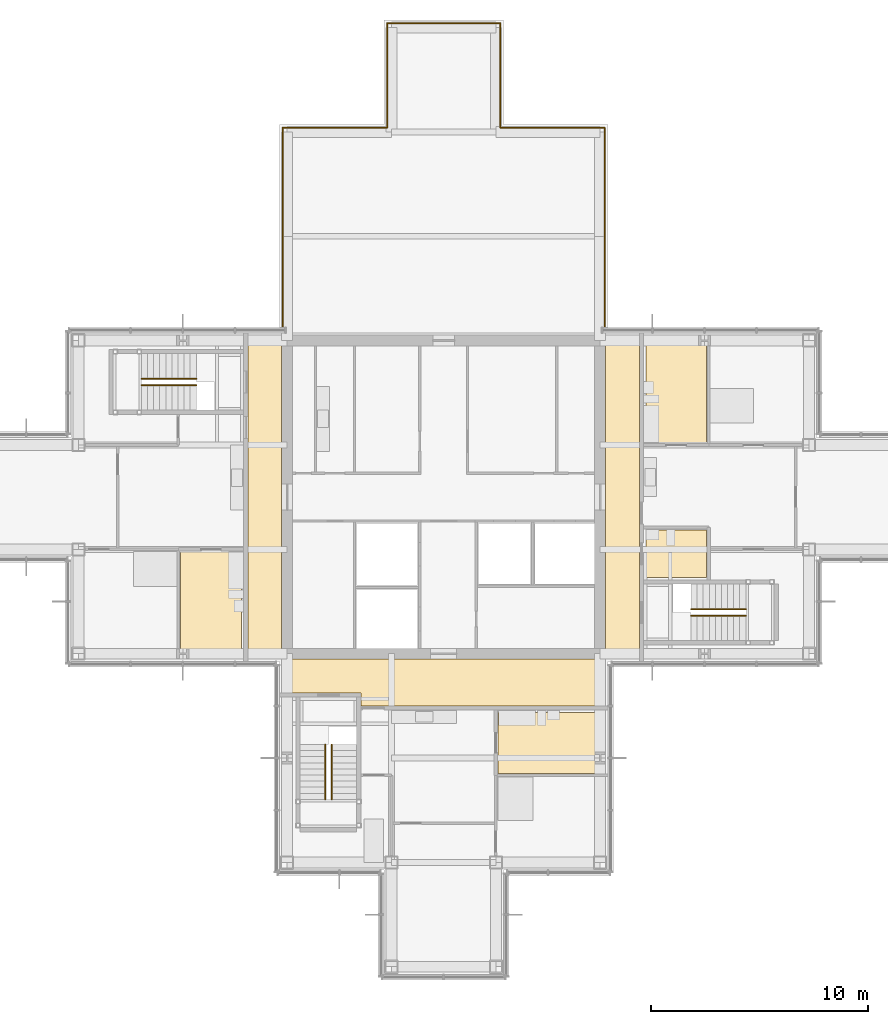
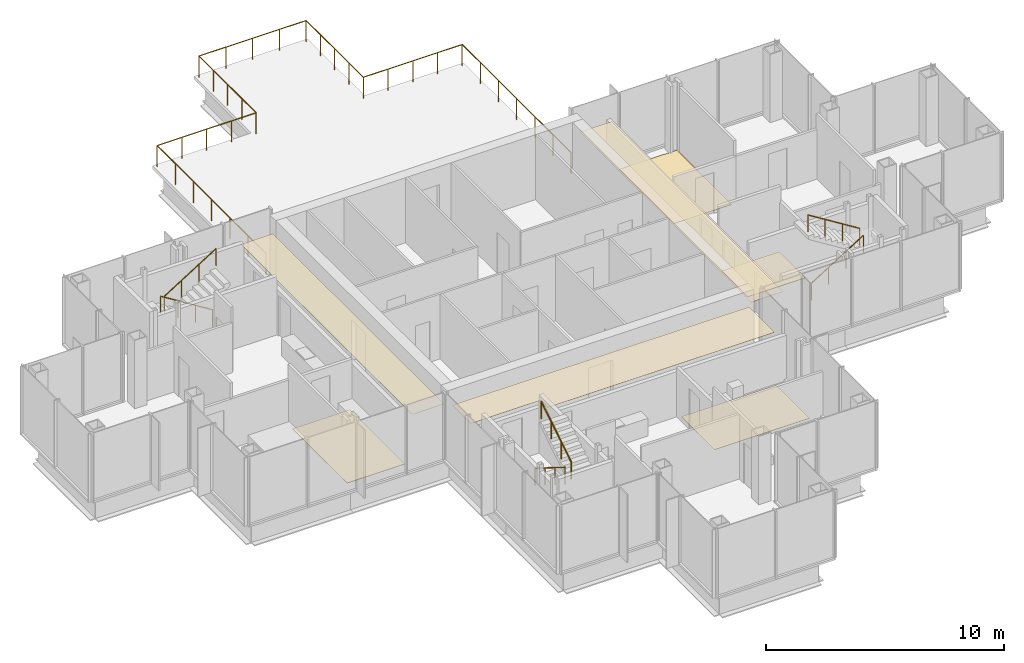
# One storey, part 12 of 14: 13 railings, 7 coverings.
"""IFC4 building model written with IfcOpenShell, lengths in metres."""

from ifc_helpers import new_model, si_unit, direction, frame, origin, origin_2d, place, context, subcontext, project, spatial, polyline, circle, outline, extrude, material, layer, layer_set, type_object, element, save


model = new_model("IFC4")

# Units and contexts
model_context = context("Model", 3, precision=1e-05, world=origin(), true_north=direction((0.0, 1.0)))
body_context = subcontext(model_context, "Body", "Model", "MODEL_VIEW")
ifc_project = project(units=[si_unit("LENGTHUNIT", "METRE"), si_unit("AREAUNIT", "SQUARE_METRE"), si_unit("VOLUMEUNIT", "CUBIC_METRE"), si_unit("PLANEANGLEUNIT", "RADIAN"), si_unit("MASSUNIT", "GRAM", prefix="KILO")], contexts=[model_context])

# Site, building, storey
site_placement = place(None, origin())
site = spatial("IfcSite", under=ifc_project, at=site_placement, CompositionType="ELEMENT")
building_placement = place(site_placement, origin())
building = spatial("IfcBuilding", under=site, at=building_placement, Name="Kvirike Care Tower", CompositionType="ELEMENT")
storey_placement = place(building_placement, frame((0.0, 0.0, 194.5)))
storey = spatial("IfcBuildingStorey", under=building, at=storey_placement, Name="L53", CompositionType="ELEMENT", Elevation=194.5)

# Coverings
ifc_material_1 = material(Name="Perforated metal ceiling tile", Category="aluminium")
ifc_layer_1 = layer(ifc_material_1, 0.014892578125)
ifc_layer_set_1 = layer_set([ifc_layer_1], Name="CORRIDOR CEILING 15")
covering_type_1 = type_object("IfcCoveringType", Name="CORRIDOR CEILING 15", PredefinedType="CEILING", material=ifc_layer_set_1)
covering_1_placement = place(storey_placement, frame((0.0, 0.0, 2.5)))
element("IfcCovering", 1, at=covering_1_placement, inside=storey, type_object=covering_type_1, Name="Corridor ceiling L53", PredefinedType="CEILING", context=body_context, shape_type="SweptSolid", body=[
    extrude(outline(polyline([(12.60009765625, 43.199951171875), (14.14990234375, 43.199951171875), (14.14990234375, 28.800048828125), (12.60009765625, 28.800048828125), (12.60009765625, 43.199951171875)])), origin(), (0.0, 0.0, 1.0), 0.014892578125),
])
covering_2_placement = place(storey_placement, frame((0.0, 0.0, 2.5)))
element("IfcCovering", 2, at=covering_2_placement, inside=storey, type_object=covering_type_1, Name="Corridor ceiling L53", PredefinedType="CEILING", context=body_context, shape_type="SweptSolid", body=[
    extrude(outline(polyline([(14.39990234375, 28.550048828125), (28.800048828125, 28.550048828125), (28.800048828125, 26.39990234375), (17.800048828125, 26.39990234375), (17.800048828125, 27.0), (14.39990234375, 27.0), (14.39990234375, 28.550048828125)])), origin(), (0.0, 0.0, 1.0), 0.014892578125),
])
covering_3_placement = place(storey_placement, frame((0.0, 0.0, 2.5)))
element("IfcCovering", 3, at=covering_3_placement, inside=storey, type_object=covering_type_1, Name="Corridor ceiling L53", PredefinedType="CEILING", context=body_context, shape_type="SweptSolid", body=[
    extrude(outline(polyline([(30.60009765625, 28.800048828125), (29.050048828125, 28.800048828125), (29.050048828125, 43.199951171875), (30.60009765625, 43.199951171875), (30.60009765625, 28.800048828125)])), origin(), (0.0, 0.0, 1.0), 0.014892578125),
])

# Railings
ifc_material_2 = material(Name="Stainless steel handrail", Category="steel")
railing_type_1 = type_object("IfcRailingType", Name="STAIR HANDRAIL 900", PredefinedType="HANDRAIL", material=ifc_material_2)
railing_1_placement = place(storey_placement, frame((10.219970703125, 41.449951171875, 0.175048828125)))
element("IfcRailing", 4, at=railing_1_placement, inside=storey, type_object=railing_type_1, Name="Stair 1 handrail L53 flight 1", PredefinedType="HANDRAIL", context=body_context, shape_type="SweptSolid", body=[
    extrude(circle(Radius=0.02490234375, at=origin_2d()), frame((0.0, 0.0, 0.875), z_axis=(-0.848007534815, 0.0, 0.529984170421), x_axis=(0.0, -1.0, 0.0)), (0.0, 0.0, 1.0), 2.9716796875),
    extrude(circle(Radius=0.02001953125, at=origin_2d()), origin(), (0.0, 0.0, 1.0), 0.849853515625),
    extrude(circle(Radius=0.02001953125, at=origin_2d()), frame((-0.840087890625, 0.0, 0.52490234375)), (0.0, 0.0, 1.0), 0.849853515625),
    extrude(circle(Radius=0.02001953125, at=origin_2d()), frame((-1.679931640625, 0.0, 1.050048828125)), (0.0, 0.0, 1.0), 0.849853515625),
    extrude(circle(Radius=0.02001953125, at=origin_2d()), frame((-2.52001953125, 0.0, 1.574951171875)), (0.0, 0.0, 1.0), 0.849853515625),
])
for number, where, name in (
    (5, (7.699951171875, 41.14990234375, 1.925048828125), "Stair 1 handrail L53 flight 2"),
    (6, (32.97998046875, 30.550048828125, 0.175048828125), "Stair 2 handrail L53 flight 1"),
):
    element("IfcRailing", number, at=place(storey_placement, frame(where)), inside=storey, type_object=railing_type_1, Name=name, PredefinedType="HANDRAIL", context=body_context, shape_type="SweptSolid", body=[
        extrude(circle(Radius=0.02490234375, at=origin_2d()), frame((0.0, 0.0, 0.875), z_axis=(0.848007534815, 0.0, 0.529984170421), x_axis=(0.0, 1.0, 0.0)), (0.0, 0.0, 1.0), 2.9716796875),
        extrude(circle(Radius=0.02001953125, at=origin_2d()), origin(), (0.0, 0.0, 1.0), 0.849853515625),
        extrude(circle(Radius=0.02001953125, at=origin_2d()), frame((0.840087890625, 0.0, 0.52490234375)), (0.0, 0.0, 1.0), 0.849853515625),
        extrude(circle(Radius=0.02001953125, at=origin_2d()), frame((1.679931640625, 0.0, 1.050048828125)), (0.0, 0.0, 1.0), 0.849853515625),
        extrude(circle(Radius=0.02001953125, at=origin_2d()), frame((2.52001953125, 0.0, 1.574951171875)), (0.0, 0.0, 1.0), 0.849853515625),
    ])
railing_2_placement = place(storey_placement, frame((35.5, 30.85009765625, 1.925048828125)))
element("IfcRailing", 7, at=railing_2_placement, inside=storey, type_object=railing_type_1, Name="Stair 2 handrail L53 flight 2", PredefinedType="HANDRAIL", context=body_context, shape_type="SweptSolid", body=[
    extrude(circle(Radius=0.02490234375, at=origin_2d()), frame((0.0, 0.0, 0.875), z_axis=(-0.848007534815, 0.0, 0.529984170421), x_axis=(0.0, -1.0, 0.0)), (0.0, 0.0, 1.0), 2.9716796875),
    extrude(circle(Radius=0.02001953125, at=origin_2d()), origin(), (0.0, 0.0, 1.0), 0.849853515625),
    extrude(circle(Radius=0.02001953125, at=origin_2d()), frame((-0.840087890625, 0.0, 0.52490234375)), (0.0, 0.0, 1.0), 0.849853515625),
    extrude(circle(Radius=0.02001953125, at=origin_2d()), frame((-1.679931640625, 0.0, 1.050048828125)), (0.0, 0.0, 1.0), 0.849853515625),
    extrude(circle(Radius=0.02001953125, at=origin_2d()), frame((-2.52001953125, 0.0, 1.574951171875)), (0.0, 0.0, 1.0), 0.849853515625),
])
railing_3_placement = place(storey_placement, frame((16.14990234375, 24.6201171875, 0.175048828125)))
element("IfcRailing", 8, at=railing_3_placement, inside=storey, type_object=railing_type_1, Name="Stair 5 handrail L53 flight 1", PredefinedType="HANDRAIL", context=body_context, shape_type="SweptSolid", body=[
    extrude(circle(Radius=0.02490234375, at=origin_2d()), frame((0.0, 0.0, 0.875), z_axis=(0.0, -0.848007534815, 0.529984170421), x_axis=(1.0, 0.0, 0.0)), (0.0, 0.0, 1.0), 2.9716796875),
    extrude(circle(Radius=0.02001953125, at=origin_2d()), origin(), (0.0, 0.0, 1.0), 0.849853515625),
    extrude(circle(Radius=0.02001953125, at=origin_2d()), frame((0.0, -0.840087890625, 0.52490234375)), (0.0, 0.0, 1.0), 0.849853515625),
    extrude(circle(Radius=0.02001953125, at=origin_2d()), frame((0.0, -1.679931640625, 1.050048828125)), (0.0, 0.0, 1.0), 0.849853515625),
    extrude(circle(Radius=0.02001953125, at=origin_2d()), frame((0.0, -2.52001953125, 1.574951171875)), (0.0, 0.0, 1.0), 0.849853515625),
])
railing_4_placement = place(storey_placement, frame((16.449951171875, 22.10009765625, 1.925048828125)))
element("IfcRailing", 9, at=railing_4_placement, inside=storey, type_object=railing_type_1, Name="Stair 5 handrail L53 flight 2", PredefinedType="HANDRAIL", context=body_context, shape_type="SweptSolid", body=[
    extrude(circle(Radius=0.02490234375, at=origin_2d()), frame((0.0, 0.0, 0.875), z_axis=(0.0, 0.848007534815, 0.529984170421), x_axis=(-1.0, 0.0, 0.0)), (0.0, 0.0, 1.0), 2.9716796875),
    extrude(circle(Radius=0.02001953125, at=origin_2d()), origin(), (0.0, 0.0, 1.0), 0.849853515625),
    extrude(circle(Radius=0.02001953125, at=origin_2d()), frame((0.0, 0.840087890625, 0.52490234375)), (0.0, 0.0, 1.0), 0.849853515625),
    extrude(circle(Radius=0.02001953125, at=origin_2d()), frame((0.0, 1.679931640625, 1.050048828125)), (0.0, 0.0, 1.0), 0.849853515625),
    extrude(circle(Radius=0.02001953125, at=origin_2d()), frame((0.0, 2.52001953125, 1.574951171875)), (0.0, 0.0, 1.0), 0.849853515625),
])
ifc_material_3 = material(Name="Bronze-finish steel guard with glass infill", Category="steel")
railing_type_2 = type_object("IfcRailingType", Name="TERRACE GUARD 1100", PredefinedType="GUARDRAIL", material=ifc_material_3)
railing_5_placement = place(storey_placement, frame((29.0, 43.85009765625, 0.0)))
element("IfcRailing", 10, at=railing_5_placement, inside=storey, type_object=railing_type_2, Name="Terrace guard L53 1", PredefinedType="GUARDRAIL", context=body_context, shape_type="SweptSolid", body=[
    extrude(circle(Radius=0.02392578125, at=origin_2d()), frame((0.0, 0.0, 1.076171875), z_axis=(0.0, 1.0, 0.0), x_axis=(-1.0, 0.0, 0.0)), (0.0, 0.0, 1.0), 9.14990234375),
    extrude(circle(Radius=0.02099609375, at=origin_2d()), origin(), (0.0, 0.0, 1.0), 1.052001953125),
    extrude(circle(Radius=0.02099609375, at=origin_2d()), frame((0.0, 1.52490234375, 0.0)), (0.0, 0.0, 1.0), 1.052001953125),
    extrude(circle(Radius=0.02099609375, at=origin_2d()), frame((0.0, 3.050048828125, 0.0)), (0.0, 0.0, 1.0), 1.052001953125),
    extrude(circle(Radius=0.02099609375, at=origin_2d()), frame((0.0, 4.574951171875, 0.0)), (0.0, 0.0, 1.0), 1.052001953125),
    extrude(circle(Radius=0.02099609375, at=origin_2d()), frame((0.0, 6.099853515625, 0.0)), (0.0, 0.0, 1.0), 1.052001953125),
    extrude(circle(Radius=0.02099609375, at=origin_2d()), frame((0.0, 7.625, 0.0)), (0.0, 0.0, 1.0), 1.052001953125),
    extrude(circle(Radius=0.02099609375, at=origin_2d()), frame((0.0, 9.14990234375, 0.0)), (0.0, 0.0, 1.0), 1.052001953125),
])
railing_6_placement = place(storey_placement, frame((29.0, 53.0, 0.0)))
element("IfcRailing", 11, at=railing_6_placement, inside=storey, type_object=railing_type_2, Name="Terrace guard L53 2", PredefinedType="GUARDRAIL", context=body_context, shape_type="SweptSolid", body=[
    extrude(circle(Radius=0.02392578125, at=origin_2d()), frame((0.0, 0.0, 1.076171875), z_axis=(-1.0, 0.0, 0.0), x_axis=(0.0, -1.0, 0.0)), (0.0, 0.0, 1.0), 4.800048828125),
    extrude(circle(Radius=0.02099609375, at=origin_2d()), origin(), (0.0, 0.0, 1.0), 1.052001953125),
    extrude(circle(Radius=0.02099609375, at=origin_2d()), frame((-1.199951171875, 0.0, 0.0)), (0.0, 0.0, 1.0), 1.052001953125),
    extrude(circle(Radius=0.02099609375, at=origin_2d()), frame((-2.39990234375, 0.0, 0.0)), (0.0, 0.0, 1.0), 1.052001953125),
    extrude(circle(Radius=0.02099609375, at=origin_2d()), frame((-3.60009765625, 0.0, 0.0)), (0.0, 0.0, 1.0), 1.052001953125),
    extrude(circle(Radius=0.02099609375, at=origin_2d()), frame((-4.800048828125, 0.0, 0.0)), (0.0, 0.0, 1.0), 1.052001953125),
])
railing_7_placement = place(storey_placement, frame((24.199951171875, 53.0, 0.0)))
element("IfcRailing", 12, at=railing_7_placement, inside=storey, type_object=railing_type_2, Name="Terrace guard L53 3", PredefinedType="GUARDRAIL", context=body_context, shape_type="SweptSolid", body=[
    extrude(circle(Radius=0.02392578125, at=origin_2d()), frame((0.0, 0.0, 1.076171875), z_axis=(0.0, 1.0, 0.0), x_axis=(-1.0, 0.0, 0.0)), (0.0, 0.0, 1.0), 4.800048828125),
    extrude(circle(Radius=0.02099609375, at=origin_2d()), origin(), (0.0, 0.0, 1.0), 1.052001953125),
    extrude(circle(Radius=0.02099609375, at=origin_2d()), frame((0.0, 1.199951171875, 0.0)), (0.0, 0.0, 1.0), 1.052001953125),
    extrude(circle(Radius=0.02099609375, at=origin_2d()), frame((0.0, 2.39990234375, 0.0)), (0.0, 0.0, 1.0), 1.052001953125),
    extrude(circle(Radius=0.02099609375, at=origin_2d()), frame((0.0, 3.60009765625, 0.0)), (0.0, 0.0, 1.0), 1.052001953125),
    extrude(circle(Radius=0.02099609375, at=origin_2d()), frame((0.0, 4.800048828125, 0.0)), (0.0, 0.0, 1.0), 1.052001953125),
])
railing_8_placement = place(storey_placement, frame((24.199951171875, 57.800048828125, 0.0)))
element("IfcRailing", 13, at=railing_8_placement, inside=storey, type_object=railing_type_2, Name="Terrace guard L53 4", PredefinedType="GUARDRAIL", context=body_context, shape_type="SweptSolid", body=[
    extrude(circle(Radius=0.02392578125, at=origin_2d()), frame((0.0, 0.0, 1.076171875), z_axis=(-1.0, 0.0, 0.0), x_axis=(0.0, -1.0, 0.0)), (0.0, 0.0, 1.0), 5.199951171875),
    extrude(circle(Radius=0.02099609375, at=origin_2d()), origin(), (0.0, 0.0, 1.0), 1.052001953125),
    extrude(circle(Radius=0.02099609375, at=origin_2d()), frame((-1.300048828125, 0.0, 0.0)), (0.0, 0.0, 1.0), 1.052001953125),
    extrude(circle(Radius=0.02099609375, at=origin_2d()), frame((-2.60009765625, 0.0, 0.0)), (0.0, 0.0, 1.0), 1.052001953125),
    extrude(circle(Radius=0.02099609375, at=origin_2d()), frame((-3.89990234375, 0.0, 0.0)), (0.0, 0.0, 1.0), 1.052001953125),
    extrude(circle(Radius=0.02099609375, at=origin_2d()), frame((-5.199951171875, 0.0, 0.0)), (0.0, 0.0, 1.0), 1.052001953125),
])
railing_9_placement = place(storey_placement, frame((19.0, 57.800048828125, 0.0)))
element("IfcRailing", 14, at=railing_9_placement, inside=storey, type_object=railing_type_2, Name="Terrace guard L53 5", PredefinedType="GUARDRAIL", context=body_context, shape_type="SweptSolid", body=[
    extrude(circle(Radius=0.02392578125, at=origin_2d()), frame((0.0, 0.0, 1.076171875), z_axis=(0.0, -1.0, 0.0), x_axis=(1.0, 0.0, 0.0)), (0.0, 0.0, 1.0), 4.800048828125),
    extrude(circle(Radius=0.02099609375, at=origin_2d()), origin(), (0.0, 0.0, 1.0), 1.052001953125),
    extrude(circle(Radius=0.02099609375, at=origin_2d()), frame((0.0, -1.199951171875, 0.0)), (0.0, 0.0, 1.0), 1.052001953125),
    extrude(circle(Radius=0.02099609375, at=origin_2d()), frame((0.0, -2.39990234375, 0.0)), (0.0, 0.0, 1.0), 1.052001953125),
    extrude(circle(Radius=0.02099609375, at=origin_2d()), frame((0.0, -3.60009765625, 0.0)), (0.0, 0.0, 1.0), 1.052001953125),
    extrude(circle(Radius=0.02099609375, at=origin_2d()), frame((0.0, -4.800048828125, 0.0)), (0.0, 0.0, 1.0), 1.052001953125),
])
railing_10_placement = place(storey_placement, frame((19.0, 53.0, 0.0)))
element("IfcRailing", 15, at=railing_10_placement, inside=storey, type_object=railing_type_2, Name="Terrace guard L53 6", PredefinedType="GUARDRAIL", context=body_context, shape_type="SweptSolid", body=[
    extrude(circle(Radius=0.02392578125, at=origin_2d()), frame((0.0, 0.0, 1.076171875), z_axis=(-1.0, 0.0, 0.0), x_axis=(0.0, -1.0, 0.0)), (0.0, 0.0, 1.0), 4.800048828125),
    extrude(circle(Radius=0.02099609375, at=origin_2d()), origin(), (0.0, 0.0, 1.0), 1.052001953125),
    extrude(circle(Radius=0.02099609375, at=origin_2d()), frame((-1.199951171875, 0.0, 0.0)), (0.0, 0.0, 1.0), 1.052001953125),
    extrude(circle(Radius=0.02099609375, at=origin_2d()), frame((-2.39990234375, 0.0, 0.0)), (0.0, 0.0, 1.0), 1.052001953125),
    extrude(circle(Radius=0.02099609375, at=origin_2d()), frame((-3.60009765625, 0.0, 0.0)), (0.0, 0.0, 1.0), 1.052001953125),
    extrude(circle(Radius=0.02099609375, at=origin_2d()), frame((-4.800048828125, 0.0, 0.0)), (0.0, 0.0, 1.0), 1.052001953125),
])
railing_11_placement = place(storey_placement, frame((14.199951171875, 53.0, 0.0)))
element("IfcRailing", 16, at=railing_11_placement, inside=storey, type_object=railing_type_2, Name="Terrace guard L53 7", PredefinedType="GUARDRAIL", context=body_context, shape_type="SweptSolid", body=[
    extrude(circle(Radius=0.02392578125, at=origin_2d()), frame((0.0, 0.0, 1.076171875), z_axis=(0.0, -1.0, 0.0), x_axis=(1.0, 0.0, 0.0)), (0.0, 0.0, 1.0), 9.14990234375),
    extrude(circle(Radius=0.02099609375, at=origin_2d()), origin(), (0.0, 0.0, 1.0), 1.052001953125),
    extrude(circle(Radius=0.02099609375, at=origin_2d()), frame((0.0, -1.52490234375, 0.0)), (0.0, 0.0, 1.0), 1.052001953125),
    extrude(circle(Radius=0.02099609375, at=origin_2d()), frame((0.0, -3.050048828125, 0.0)), (0.0, 0.0, 1.0), 1.052001953125),
    extrude(circle(Radius=0.02099609375, at=origin_2d()), frame((0.0, -4.574951171875, 0.0)), (0.0, 0.0, 1.0), 1.052001953125),
    extrude(circle(Radius=0.02099609375, at=origin_2d()), frame((0.0, -6.099853515625, 0.0)), (0.0, 0.0, 1.0), 1.052001953125),
    extrude(circle(Radius=0.02099609375, at=origin_2d()), frame((0.0, -7.625, 0.0)), (0.0, 0.0, 1.0), 1.052001953125),
    extrude(circle(Radius=0.02099609375, at=origin_2d()), frame((0.0, -9.14990234375, 0.0)), (0.0, 0.0, 1.0), 1.052001953125),
])

# Coverings
ifc_material_4 = material(Name="Slip-resistant vinyl safety flooring on screed")
ifc_layer_2 = layer(ifc_material_4, 0.02001953125)
ifc_layer_set_2 = layer_set([ifc_layer_2], Name="WET ROOM FLOOR 20")
covering_type_2 = type_object("IfcCoveringType", Name="WET ROOM FLOOR 20", PredefinedType="FLOORING", material=ifc_layer_set_2)
covering_4_placement = place(storey_placement, origin())
element("IfcCovering", 17, at=covering_4_placement, inside=storey, type_object=covering_type_2, Name="Bathroom floor L53-006", PredefinedType="FLOORING", context=body_context, shape_type="SweptSolid", body=[
    extrude(outline(polyline([(9.5, 33.5), (12.300048828125, 33.5), (12.300048828125, 28.89990234375), (9.5, 28.89990234375), (9.5, 33.5)])), origin(), (0.0, 0.0, 1.0), 0.02001953125),
])
covering_5_placement = place(storey_placement, origin())
element("IfcCovering", 18, at=covering_5_placement, inside=storey, type_object=covering_type_2, Name="Bathroom floor L53-013", PredefinedType="FLOORING", context=body_context, shape_type="SweptSolid", body=[
    extrude(outline(polyline([(24.10009765625, 23.300048828125), (24.10009765625, 26.10009765625), (28.699951171875, 26.10009765625), (28.699951171875, 23.300048828125), (24.10009765625, 23.300048828125)])), origin(), (0.0, 0.0, 1.0), 0.02001953125),
])
covering_6_placement = place(storey_placement, origin())
element("IfcCovering", 19, at=covering_6_placement, inside=storey, type_object=covering_type_2, Name="Accessible WC floor L53-020", PredefinedType="FLOORING", context=body_context, shape_type="SweptSolid", body=[
    extrude(outline(polyline([(33.699951171875, 32.300048828125), (30.89990234375, 32.300048828125), (30.89990234375, 34.5), (33.699951171875, 34.5), (33.699951171875, 32.300048828125)])), origin(), (0.0, 0.0, 1.0), 0.02001953125),
])
covering_7_placement = place(storey_placement, origin())
element("IfcCovering", 20, at=covering_7_placement, inside=storey, type_object=covering_type_2, Name="Bathroom floor L53-021", PredefinedType="FLOORING", context=body_context, shape_type="SweptSolid", body=[
    extrude(outline(polyline([(33.699951171875, 38.5), (30.89990234375, 38.5), (30.89990234375, 43.10009765625), (33.699951171875, 43.10009765625), (33.699951171875, 38.5)])), origin(), (0.0, 0.0, 1.0), 0.02001953125),
])

save(model, "model.ifc")
